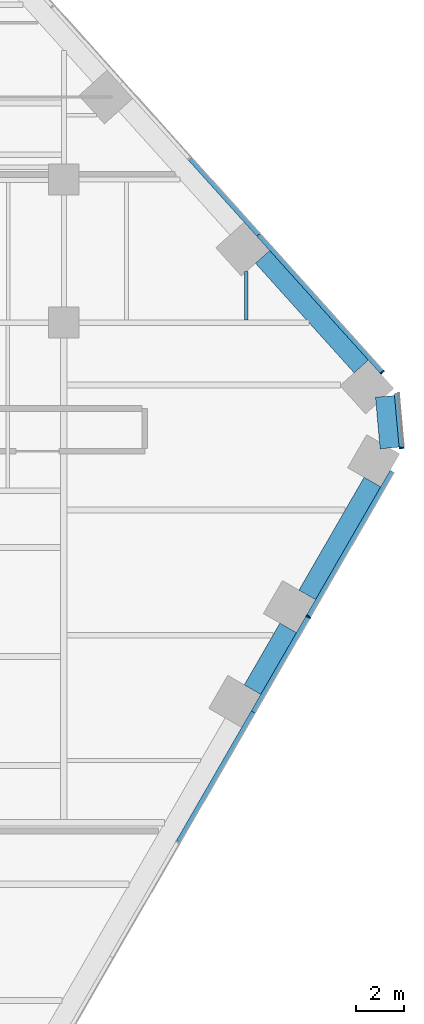
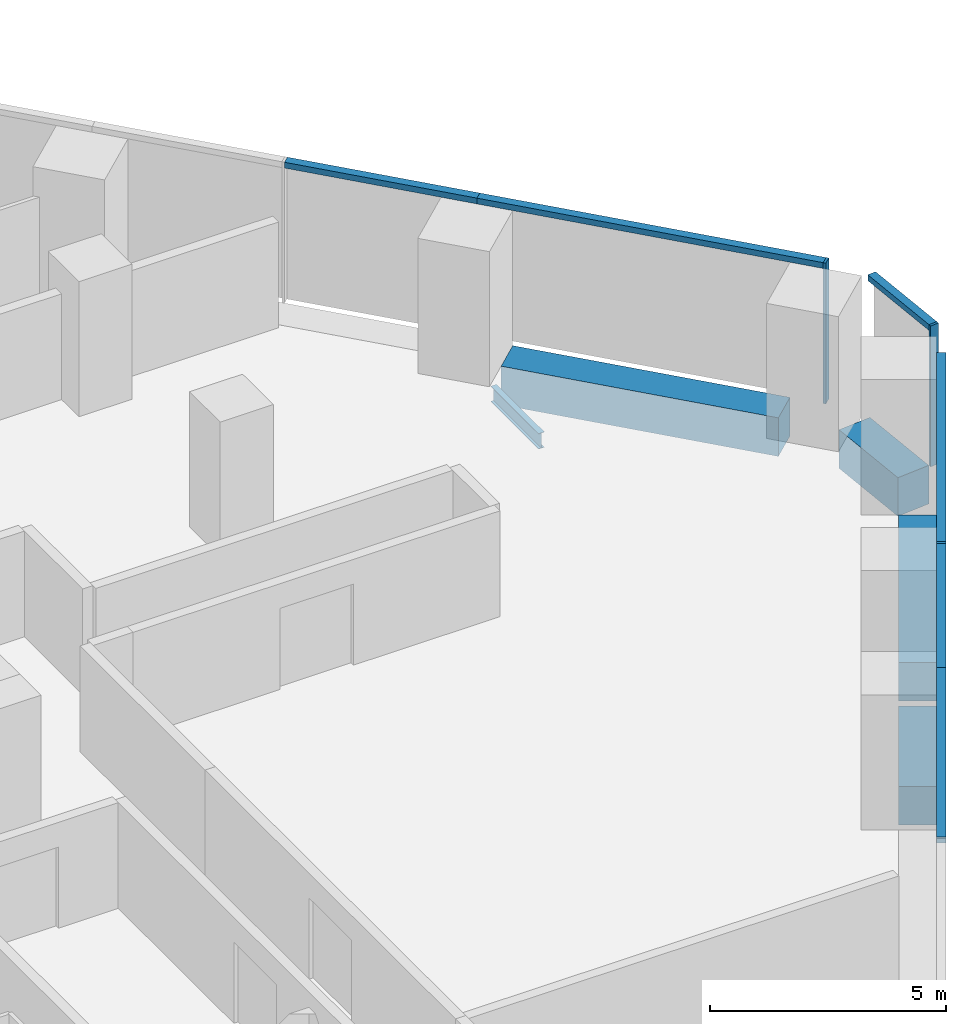
# One storey, part 11 of 19: 9 members, 5 beams, 3 elements without a shape of their own.
"""IFC4 building model written with IfcOpenShell, lengths in metres."""

from ifc_helpers import new_model, si_unit, direction, frame, origin, origin_2d, place, context, subcontext, project, spatial, rectangle, i_section, extrude, material, layer, layer_set, material_profile, profile_set, type_object, element, aggregate, save


model = new_model("IFC4")

# Units and contexts
model_context = context("Model", 3, precision=1e-05, world=origin(), true_north=direction((0.0, 1.0)))
body_context = subcontext(model_context, "Body", "Model", "MODEL_VIEW")
ifc_project = project(units=[si_unit("LENGTHUNIT", "METRE"), si_unit("AREAUNIT", "SQUARE_METRE"), si_unit("VOLUMEUNIT", "CUBIC_METRE"), si_unit("PLANEANGLEUNIT", "RADIAN"), si_unit("MASSUNIT", "GRAM", prefix="KILO")], contexts=[model_context])

# Site, building, storey
site_placement = place(None, origin())
site = spatial("IfcSite", under=ifc_project, at=site_placement, CompositionType="ELEMENT")
building_placement = place(site_placement, origin())
building = spatial("IfcBuilding", under=site, at=building_placement, Name="Isthmus Gate Tower", CompositionType="ELEMENT")
storey_placement = place(building_placement, frame((0.0, 0.0, 87.949951171875)))
storey = spatial("IfcBuildingStorey", under=building, at=storey_placement, Name="L20", CompositionType="ELEMENT", Elevation=87.949951171875)

# Curtain wall, member
ifc_material_1 = material(Name="Aluminium, pale champagne anodised", Category="aluminium")
ifc_layer = layer(ifc_material_1, 0.199951171875)
ifc_layer_set = layer_set([ifc_layer], Name="CW-1 UNITISED CURTAIN WALL 200 DEEP")
curtain_wall_type = type_object("IfcCurtainWallType", Name="CW-1 UNITISED CURTAIN WALL 200 DEEP", PredefinedType="NOTDEFINED", material=ifc_layer_set)
curtain_wall_1_placement = place(storey_placement, origin())
curtain_wall_1 = element("IfcCurtainWall", 1, at=curtain_wall_1_placement, inside=storey, type_object=curtain_wall_type, Name="CW-1 SE L20", PredefinedType="NOTDEFINED")
ifc_material_2 = material(Name="Aluminium, pale champagne anodised", Category="aluminium")
ifc_material_profile_1 = material_profile(ifc_material_2, rectangle(XDim=0.06005859375, YDim=0.199951171875, at=origin_2d()), Name="60x200")
ifc_profile_set_1 = profile_set([ifc_material_profile_1], Name="Aluminium, pale champagne anodised")
member_type_1 = type_object("IfcMemberType", Name="CW-1 MULLION 60 X 200", PredefinedType="MULLION", material=ifc_profile_set_1)
member_1_placement = place(storey_placement, frame((34.267822265625, -4.846435546875, 0.0), z_axis=(0.0, 0.0, 1.0), x_axis=(0.5, 0.866025403784, 0.0)))
member_1 = element("IfcMember", 2, at=member_1_placement, type_object=member_type_1, Name="CW-1 mullion", PredefinedType="MULLION", context=body_context, shape_type="SweptSolid", body=[
    extrude(rectangle(XDim=0.06005859375, YDim=0.199951171875, at=origin_2d()), origin(), (0.0, 0.0, 1.0), 3.650146484375),
])

curtain_wall_2_placement = place(storey_placement, origin())
curtain_wall_2 = element("IfcCurtainWall", 3, at=curtain_wall_2_placement, inside=storey, type_object=curtain_wall_type, Name="CW-1 SE-NE L20", PredefinedType="NOTDEFINED")
member_2_placement = place(storey_placement, frame((38.178955078125, 2.24169921875, 0.0), z_axis=(0.0, 0.0, 1.0), x_axis=(-0.089396669717, 0.995996102123, 0.0)))
member_2 = element("IfcMember", 4, at=member_2_placement, type_object=member_type_1, Name="CW-1 mullion", PredefinedType="MULLION", context=body_context, shape_type="SweptSolid", body=[
    extrude(rectangle(XDim=0.06005859375, YDim=0.199951171875, at=origin_2d()), origin(), (0.0, 0.0, 1.0), 3.650146484375),
])

curtain_wall_3_placement = place(storey_placement, origin())
curtain_wall_3 = element("IfcCurtainWall", 5, at=curtain_wall_3_placement, inside=storey, type_object=curtain_wall_type, Name="CW-1 NE L20", PredefinedType="NOTDEFINED")
member_3_placement = place(storey_placement, frame((37.37353515625, 5.419921875, 0.0), z_axis=(0.0, 0.0, 1.0), x_axis=(-0.669130606359, 0.743144825477, 0.0)))
member_3 = element("IfcMember", 6, at=member_3_placement, type_object=member_type_1, Name="CW-1 mullion", PredefinedType="MULLION", context=body_context, shape_type="SweptSolid", body=[
    extrude(rectangle(XDim=0.06005859375, YDim=0.199951171875, at=origin_2d()), origin(), (0.0, 0.0, 1.0), 3.650146484375),
])

# Member
ifc_material_3 = material(Name="Aluminium, pale champagne anodised", Category="aluminium")
ifc_material_profile_2 = material_profile(ifc_material_3, rectangle(XDim=0.199951171875, YDim=0.14990234375, at=origin_2d()), Name="200x150")
ifc_profile_set_2 = profile_set([ifc_material_profile_2], Name="Aluminium, pale champagne anodised")
member_type_2 = type_object("IfcMemberType", Name="CW-1 TRANSOM 200 X 150", PredefinedType="USERDEFINED", material=ifc_profile_set_2)
member_4_placement = place(storey_placement, frame((28.817138671875, -14.287353515625, 3.574951171875), z_axis=(0.499995104884, 0.866028229963, 0.0), x_axis=(-0.866028229963, 0.499995104884, 0.0)))
member_4 = element("IfcMember", 7, at=member_4_placement, type_object=member_type_2, Name="CW-1 transom", ObjectType="TRANSOM", PredefinedType="USERDEFINED", context=body_context, shape_type="SweptSolid", body=[
    extrude(rectangle(XDim=0.199951171875, YDim=0.14990234375, at=origin_2d()), origin(), (0.0, 0.0, 1.0), 6.2783203125),
])

member_5_placement = place(storey_placement, frame((31.956298828125, -8.85009765625, 3.574951171875), z_axis=(0.499992401796, 0.866029790565, 0.0), x_axis=(-0.866029790565, 0.499992401796, 0.0)))
member_5 = element("IfcMember", 8, at=member_5_placement, type_object=member_type_2, Name="CW-1 transom", ObjectType="TRANSOM", PredefinedType="USERDEFINED", context=body_context, shape_type="SweptSolid", body=[
    extrude(rectangle(XDim=0.199951171875, YDim=0.14990234375, at=origin_2d()), origin(), (0.0, 0.0, 1.0), 4.5927734375),
])

member_6_placement = place(storey_placement, frame((34.28271484375, -4.820556640625, 3.574951171875), z_axis=(0.500004847053, 0.866022605319, 0.0), x_axis=(-0.866022605319, 0.500004847053, 0.0)))
member_6 = element("IfcMember", 9, at=member_6_placement, type_object=member_type_2, Name="CW-1 transom", ObjectType="TRANSOM", PredefinedType="USERDEFINED", context=body_context, shape_type="SweptSolid", body=[
    extrude(rectangle(XDim=0.199951171875, YDim=0.14990234375, at=origin_2d()), origin(), (0.0, 0.0, 1.0), 7.009765625),
])

aggregate(curtain_wall_1, [member_4, member_5, member_1, member_6])

member_7_placement = place(storey_placement, frame((38.17626953125, 2.271728515625, 3.574951171875), z_axis=(-0.089395362867, 0.995996219419, 0.0), x_axis=(-0.995996219419, -0.089395362867, 0.0)))
member_7 = element("IfcMember", 10, at=member_7_placement, type_object=member_type_2, Name="CW-1 transom", ObjectType="TRANSOM", PredefinedType="USERDEFINED", context=body_context, shape_type="SweptSolid", body=[
    extrude(rectangle(XDim=0.199951171875, YDim=0.14990234375, at=origin_2d()), origin(), (0.0, 0.0, 1.0), 2.258544921875),
])

aggregate(curtain_wall_2, [member_2, member_7])

member_8_placement = place(storey_placement, frame((37.353515625, 5.4423828125, 3.574951171875), z_axis=(-0.669133991403, 0.743141777556, 0.0), x_axis=(-0.743141777556, -0.669133991403, 0.0)))
member_8 = element("IfcMember", 11, at=member_8_placement, type_object=member_type_2, Name="CW-1 transom", ObjectType="TRANSOM", PredefinedType="USERDEFINED", context=body_context, shape_type="SweptSolid", body=[
    extrude(rectangle(XDim=0.199951171875, YDim=0.14990234375, at=origin_2d()), origin(), (0.0, 0.0, 1.0), 7.729248046875),
])

member_9_placement = place(storey_placement, frame((32.181640625, 11.186279296875, 3.574951171875), z_axis=(-0.669131169216, 0.743144318678, 0.0), x_axis=(-0.743144318678, -0.669131169216, 0.0)))
member_9 = element("IfcMember", 12, at=member_9_placement, type_object=member_type_2, Name="CW-1 transom", ObjectType="TRANSOM", PredefinedType="USERDEFINED", context=body_context, shape_type="SweptSolid", body=[
    extrude(rectangle(XDim=0.199951171875, YDim=0.14990234375, at=origin_2d()), origin(), (0.0, 0.0, 1.0), 4.294677734375),
])

aggregate(curtain_wall_3, [member_3, member_8, member_9])

# Beams
ifc_material_4 = material(Name="Concrete f'c 70 MPa", Category="concrete")
ifc_material_profile_3 = material_profile(ifc_material_4, rectangle(XDim=0.800048828125, YDim=1.0, at=origin_2d()), Name="RC 800X1000")
ifc_profile_set_3 = profile_set([ifc_material_profile_3], Name="Concrete f'c 70 MPa")
beam_type_1 = type_object("IfcBeamType", Name="RC SPANDREL 800 X 1000", PredefinedType="SPANDREL", material=ifc_profile_set_3)
beam_1_placement = place(storey_placement, frame((32.34521484375, 10.25732421875, -0.5), z_axis=(0.669139054219, -0.743137218903, 0.0), x_axis=(0.743137218903, 0.669139054219, 0.0)))
element("IfcBeam", 13, at=beam_1_placement, inside=storey, type_object=beam_type_1, Name="str-spandrel-L20-04", PredefinedType="SPANDREL", context=body_context, shape_type="SweptSolid", body=[
    extrude(rectangle(XDim=0.800048828125, YDim=1.0, at=origin_2d()), origin(), (0.0, 0.0, 1.0), 6.189453125),
])
beam_2_placement = place(storey_placement, frame((37.483154296875, 4.40185546875, -0.5), z_axis=(0.089421511639, -0.995993872098, 0.0), x_axis=(0.995993872098, 0.089421511639, 0.0)))
element("IfcBeam", 14, at=beam_2_placement, inside=storey, type_object=beam_type_1, Name="str-spandrel-L20-05", PredefinedType="SPANDREL", context=body_context, shape_type="SweptSolid", body=[
    extrude(rectangle(XDim=0.800048828125, YDim=1.0, at=origin_2d()), origin(), (0.0, 0.0, 1.0), 2.17333984375),
])
beam_3_placement = place(storey_placement, frame((36.95458984375, 0.80712890625, -0.5), z_axis=(-0.500008371742, -0.866020570303, 0.0), x_axis=(0.866020570303, -0.500008371742, 0.0)))
element("IfcBeam", 15, at=beam_3_placement, inside=storey, type_object=beam_type_1, Name="str-spandrel-L20-06", PredefinedType="SPANDREL", context=body_context, shape_type="SweptSolid", body=[
    extrude(rectangle(XDim=0.800048828125, YDim=1.0, at=origin_2d()), origin(), (0.0, 0.0, 1.0), 5.4697265625),
])
beam_4_placement = place(storey_placement, frame((33.419677734375, -5.315185546875, -0.5), z_axis=(-0.499955472713, -0.866051110099, 0.0), x_axis=(0.866051110099, -0.499955472713, 0.0)))
element("IfcBeam", 16, at=beam_4_placement, inside=storey, type_object=beam_type_1, Name="str-spandrel-L20-07", PredefinedType="SPANDREL", context=body_context, shape_type="SweptSolid", body=[
    extrude(rectangle(XDim=0.800048828125, YDim=1.0, at=origin_2d()), origin(), (0.0, 0.0, 1.0), 2.992919921875),
])
ifc_material_5 = material(Name="Structural steel ASTM A992 Gr 50", Category="steel")
ifc_material_profile_4 = material_profile(ifc_material_5, i_section(OverallWidth=0.1396484375, OverallDepth=0.4033203125, WebThickness=0.00634765625, FlangeThickness=0.010986328125, at=origin_2d()), Name="W16X31")
ifc_profile_set_4 = profile_set([ifc_material_profile_4], Name="Structural steel ASTM A992 Gr 50")
beam_type_2 = type_object("IfcBeamType", Name="STEEL FLOOR BEAM W16X31", PredefinedType="JOIST", material=ifc_profile_set_4)
beam_5_placement = place(storey_placement, frame((31.666259765625, 7.6142578125, -0.3515625), z_axis=(0.0, 1.0, 0.0), x_axis=(-1.0, 0.0, 0.0)))
element("IfcBeam", 17, at=beam_5_placement, inside=storey, type_object=beam_type_2, Name="str-beam-L20-33-01", PredefinedType="JOIST", context=body_context, shape_type="SweptSolid", body=[
    extrude(i_section(OverallWidth=0.1396484375, OverallDepth=0.4033203125, WebThickness=0.00634765625, FlangeThickness=0.010986328125, at=origin_2d()), origin(), (0.0, 0.0, 1.0), 2.03173828125),
])

save(model, "model.ifc")
